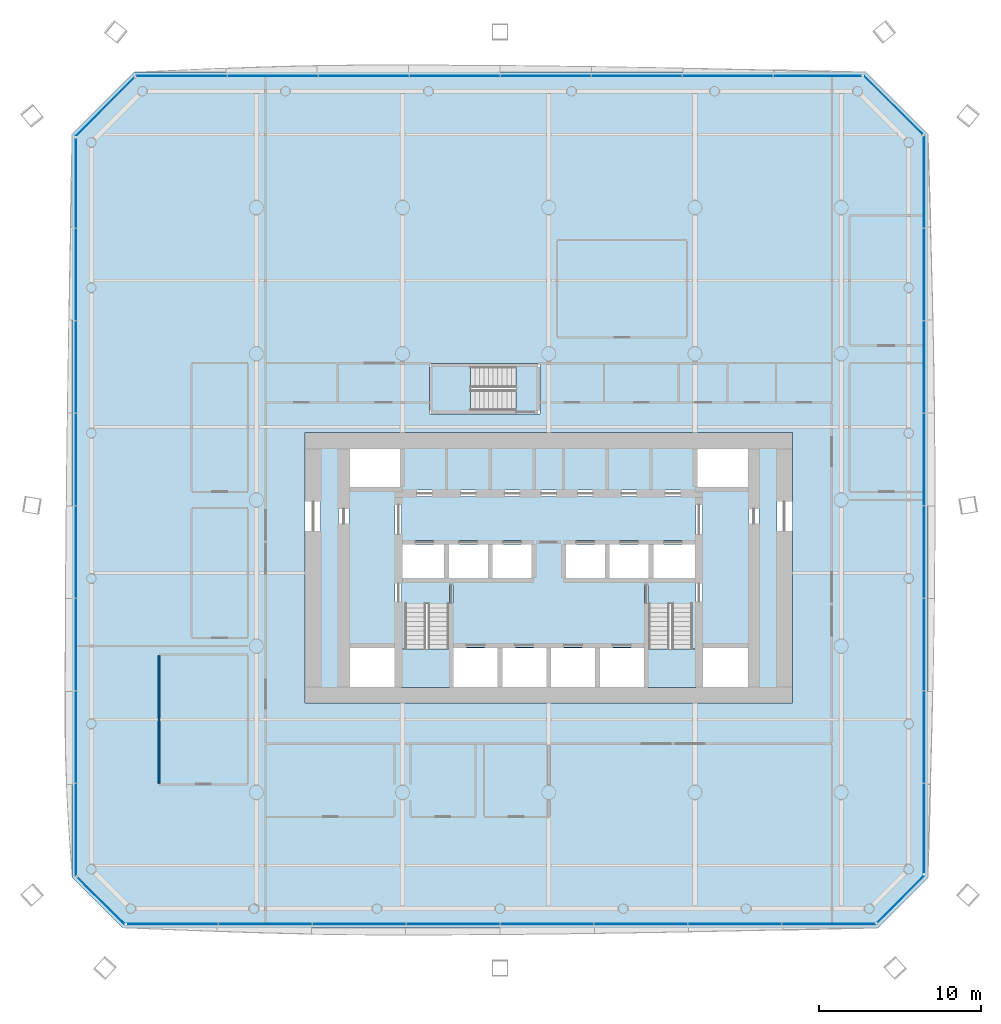
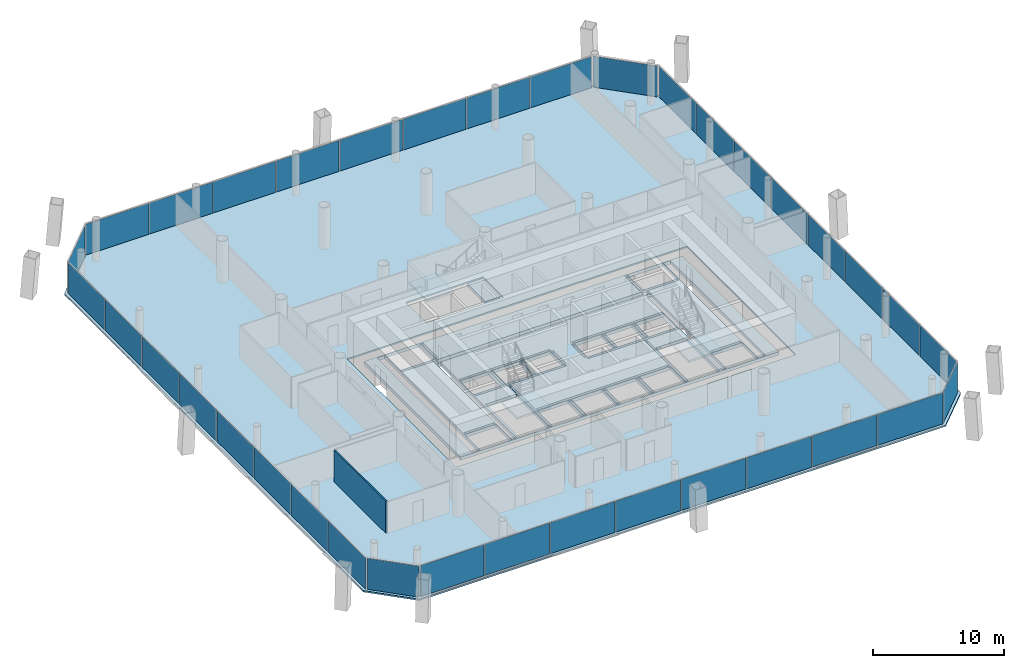
# One storey, part 11 of 20: 36 plates, 6 slabs, 1 wall, 11 elements without a shape of their own.
"""IFC4 building model written with IfcOpenShell, lengths in metres."""

from ifc_helpers import new_model, si_unit, direction, frame, frame_2d, origin, origin_2d, place, context, subcontext, project, spatial, polyline, rectangle, outline, extrude, material, layer, layer_set, type_object, element, aggregate, save


model = new_model("IFC4")

# Units and contexts
model_context = context("Model", 3, precision=1e-05, world=origin(), true_north=direction((0.0, 1.0)))
body_context = subcontext(model_context, "Body", "Model", "MODEL_VIEW")
ifc_project = project(units=[si_unit("LENGTHUNIT", "METRE"), si_unit("AREAUNIT", "SQUARE_METRE"), si_unit("VOLUMEUNIT", "CUBIC_METRE"), si_unit("PLANEANGLEUNIT", "RADIAN"), si_unit("MASSUNIT", "GRAM", prefix="KILO")], contexts=[model_context])

# Site, building, storey
site_placement = place(None, origin())
site = spatial("IfcSite", under=ifc_project, at=site_placement, CompositionType="ELEMENT")
building_placement = place(site_placement, origin())
building = spatial("IfcBuilding", under=site, at=building_placement, Name="Tskaro Facet Tower", CompositionType="ELEMENT")
storey_placement = place(building_placement, frame((0.0, 0.0, 53.699951171875)))
storey = spatial("IfcBuildingStorey", under=building, at=storey_placement, Name="L12", CompositionType="ELEMENT", Elevation=53.699951171875)

# Slab
ifc_material_1 = material(Name="Concrete C30/37", Category="concrete")
ifc_layer_1 = layer(ifc_material_1, 0.139892578125, Name="Concrete C30/37")
ifc_layer_set_1 = layer_set([ifc_layer_1], Name="Concrete C30/37")
slab_type_1 = type_object("IfcSlabType", Name="Composite deck floor slab", PredefinedType="FLOOR", material=ifc_layer_set_1)
slab_1_placement = place(storey_placement, frame((0.0, 0.0, -0.139892578125)))
element("IfcSlab", 1, at=slab_1_placement, inside=storey, type_object=slab_type_1, Name="Floor slab FS3 L12", PredefinedType="FLOOR", context=body_context, shape_type="SweptSolid", body=[
    extrude(outline(polyline([(-26.22607421875, -26.35693359375), (20.22607421875, -26.35693359375), (23.35693359375, -23.22607421875), (23.35693359375, 22.509033203125), (19.509033203125, 26.35693359375), (-25.509033203125, 26.35693359375), (-29.35693359375, 22.509033203125), (-29.35693359375, -23.22607421875), (-26.22607421875, -26.35693359375)]), holes=[polyline([(-15.0, -12.5), (15.0, -12.5), (15.0, 4.14990234375), (-15.0, 4.14990234375), (-15.0, -12.5)]), polyline([(-7.35009765625, 5.300048828125), (-0.550048828125, 5.300048828125), (-0.550048828125, 8.39990234375), (-7.35009765625, 8.39990234375), (-7.35009765625, 5.300048828125)])]), origin(), (0.0, 0.0, 1.0), 0.139892578125),
])

# Curtain wall, plates
ifc_material_2 = material(Name="Bronze anodised aluminium 6063-T6", Category="aluminium")
curtain_wall_type = type_object("IfcCurtainWallType", Name="Bronze office curtain wall (FW1)", PredefinedType="NOTDEFINED", material=ifc_material_2)
curtain_wall_1_placement = place(storey_placement, origin())
curtain_wall_1 = element("IfcCurtainWall", 2, at=curtain_wall_1_placement, inside=storey, type_object=curtain_wall_type, Name="FW1 south facet L12", PredefinedType="NOTDEFINED")
ifc_material_3 = material(Name="Bronze tinted glass", Category="glass")
ifc_layer_2 = layer(ifc_material_3, 0.031982421875, Name="Bronze tinted glass")
ifc_layer_set_2 = layer_set([ifc_layer_2], Name="Bronze tinted glass")
plate_type = type_object("IfcPlateType", Name="FW1 bronze-tinted unit glazing 32", PredefinedType="CURTAIN_PANEL", material=ifc_layer_set_2)
plate_1_placement = place(storey_placement, frame((-23.166748046875, -26.10693359375, 0.0), z_axis=(0.0, 0.0, 1.0), x_axis=(1.0, 0.0, 0.0)))
plate_1 = element("IfcPlate", 3, at=plate_1_placement, type_object=plate_type, Name="FW1 south glazing 1.1", PredefinedType="CURTAIN_PANEL", context=body_context, shape_type="SweptSolid", body=[
    extrude(rectangle(XDim=5.590576171875, YDim=0.031982421875, at=origin_2d()), origin(), (0.0, 0.0, 1.0), 2.889892578125),
])
plate_2_placement = place(storey_placement, frame((-17.451171875, -26.10693359375, 0.0), z_axis=(0.0, 0.0, 1.0), x_axis=(1.0, 0.0, 0.0)))
plate_2 = element("IfcPlate", 4, at=plate_2_placement, type_object=plate_type, Name="FW1 south glazing 2.1", PredefinedType="CURTAIN_PANEL", context=body_context, shape_type="SweptSolid", body=[
    extrude(rectangle(XDim=5.720458984375, YDim=0.031982421875, at=origin_2d()), origin(), (0.0, 0.0, 1.0), 2.889892578125),
])
plate_3_placement = place(storey_placement, frame((-11.670654296875, -26.10693359375, 0.0), z_axis=(0.0, 0.0, 1.0), x_axis=(1.0, 0.0, 0.0)))
plate_3 = element("IfcPlate", 5, at=plate_3_placement, type_object=plate_type, Name="FW1 south glazing 3.1", PredefinedType="CURTAIN_PANEL", context=body_context, shape_type="SweptSolid", body=[
    extrude(rectangle(XDim=5.720458984375, YDim=0.031982421875, at=origin_2d()), origin(), (0.0, 0.0, 1.0), 2.889892578125),
])
plate_4_placement = place(storey_placement, frame((-5.89013671875, -26.10693359375, 0.0), z_axis=(0.0, 0.0, 1.0), x_axis=(1.0, 0.0, 0.0)))
plate_4 = element("IfcPlate", 6, at=plate_4_placement, type_object=plate_type, Name="FW1 south glazing 4.1", PredefinedType="CURTAIN_PANEL", context=body_context, shape_type="SweptSolid", body=[
    extrude(rectangle(XDim=5.720458984375, YDim=0.031982421875, at=origin_2d()), origin(), (0.0, 0.0, 1.0), 2.889892578125),
])
plate_5_placement = place(storey_placement, frame((-0.10986328125, -26.10693359375, 0.0), z_axis=(0.0, 0.0, 1.0), x_axis=(1.0, 0.0, 0.0)))
plate_5 = element("IfcPlate", 7, at=plate_5_placement, type_object=plate_type, Name="FW1 south glazing 5.1", PredefinedType="CURTAIN_PANEL", context=body_context, shape_type="SweptSolid", body=[
    extrude(rectangle(XDim=5.720458984375, YDim=0.031982421875, at=origin_2d()), origin(), (0.0, 0.0, 1.0), 2.889892578125),
])
plate_6_placement = place(storey_placement, frame((5.670654296875, -26.10693359375, 0.0), z_axis=(0.0, 0.0, 1.0), x_axis=(1.0, 0.0, 0.0)))
plate_6 = element("IfcPlate", 8, at=plate_6_placement, type_object=plate_type, Name="FW1 south glazing 6.1", PredefinedType="CURTAIN_PANEL", context=body_context, shape_type="SweptSolid", body=[
    extrude(rectangle(XDim=5.720458984375, YDim=0.031982421875, at=origin_2d()), origin(), (0.0, 0.0, 1.0), 2.889892578125),
])
plate_7_placement = place(storey_placement, frame((11.451171875, -26.10693359375, 0.0), z_axis=(0.0, 0.0, 1.0), x_axis=(1.0, 0.0, 0.0)))
plate_7 = element("IfcPlate", 9, at=plate_7_placement, type_object=plate_type, Name="FW1 south glazing 7.1", PredefinedType="CURTAIN_PANEL", context=body_context, shape_type="SweptSolid", body=[
    extrude(rectangle(XDim=5.720458984375, YDim=0.031982421875, at=origin_2d()), origin(), (0.0, 0.0, 1.0), 2.889892578125),
])
plate_8_placement = place(storey_placement, frame((17.246826171875, -26.10693359375, 0.0), z_axis=(0.0, 0.0, 1.0), x_axis=(1.0, 0.0, 0.0)))
plate_8 = element("IfcPlate", 10, at=plate_8_placement, type_object=plate_type, Name="FW1 south glazing 8.1", PredefinedType="CURTAIN_PANEL", context=body_context, shape_type="SweptSolid", body=[
    extrude(rectangle(XDim=5.75048828125, YDim=0.031982421875, at=origin_2d()), origin(), (0.0, 0.0, 1.0), 2.889892578125),
])
aggregate(curtain_wall_1, [plate_1, plate_2, plate_3, plate_4, plate_5, plate_6, plate_7, plate_8])

# Curtain wall, plate
curtain_wall_2_placement = place(storey_placement, origin())
curtain_wall_2 = element("IfcCurtainWall", 11, at=curtain_wall_2_placement, inside=storey, type_object=curtain_wall_type, Name="FW1 south-east facet L12", PredefinedType="NOTDEFINED")
plate_9_placement = place(storey_placement, frame((21.671142578125, -24.557861328125, 0.0), z_axis=(0.0, 0.0, 1.0), x_axis=(0.707106781187, 0.707106781187, 0.0)))
plate_9 = element("IfcPlate", 12, at=plate_9_placement, type_object=plate_type, Name="FW1 south-east glazing 1.1", PredefinedType="CURTAIN_PANEL", context=body_context, shape_type="SweptSolid", body=[
    extrude(rectangle(XDim=4.0615234375, YDim=0.031982421875, at=origin_2d()), origin(), (0.0, 0.0, 1.0), 2.889892578125),
])
aggregate(curtain_wall_2, [plate_9])

# Curtain wall, plates
curtain_wall_3_placement = place(storey_placement, origin())
curtain_wall_3 = element("IfcCurtainWall", 13, at=curtain_wall_3_placement, inside=storey, type_object=curtain_wall_type, Name="FW1 east facet L12", PredefinedType="NOTDEFINED")
plate_10_placement = place(storey_placement, frame((23.10693359375, -20.211669921875, 0.0), z_axis=(0.0, 0.0, 1.0), x_axis=(0.0, 1.0, 0.0)))
plate_10 = element("IfcPlate", 14, at=plate_10_placement, type_object=plate_type, Name="FW1 east glazing 1.1", PredefinedType="CURTAIN_PANEL", context=body_context, shape_type="SweptSolid", body=[
    extrude(rectangle(XDim=5.5009765625, YDim=0.031982421875, at=origin_2d()), origin(), (0.0, 0.0, 1.0), 2.889892578125),
])
plate_11_placement = place(storey_placement, frame((23.10693359375, -14.585693359375, 0.0), z_axis=(0.0, 0.0, 1.0), x_axis=(0.0, 1.0, 0.0)))
plate_11 = element("IfcPlate", 15, at=plate_11_placement, type_object=plate_type, Name="FW1 east glazing 2.1", PredefinedType="CURTAIN_PANEL", context=body_context, shape_type="SweptSolid", body=[
    extrude(rectangle(XDim=5.630859375, YDim=0.031982421875, at=origin_2d()), origin(), (0.0, 0.0, 1.0), 2.889892578125),
])
plate_12_placement = place(storey_placement, frame((23.10693359375, -8.894775390625, 0.0), z_axis=(0.0, 0.0, 1.0), x_axis=(0.0, 1.0, 0.0)))
plate_12 = element("IfcPlate", 16, at=plate_12_placement, type_object=plate_type, Name="FW1 east glazing 3.1", PredefinedType="CURTAIN_PANEL", context=body_context, shape_type="SweptSolid", body=[
    extrude(rectangle(XDim=5.630859375, YDim=0.031982421875, at=origin_2d()), origin(), (0.0, 0.0, 1.0), 2.889892578125),
])
plate_13_placement = place(storey_placement, frame((23.10693359375, -3.203857421875, 0.0), z_axis=(0.0, 0.0, 1.0), x_axis=(0.0, 1.0, 0.0)))
plate_13 = element("IfcPlate", 17, at=plate_13_placement, type_object=plate_type, Name="FW1 east glazing 4.1", PredefinedType="CURTAIN_PANEL", context=body_context, shape_type="SweptSolid", body=[
    extrude(rectangle(XDim=5.630859375, YDim=0.031982421875, at=origin_2d()), origin(), (0.0, 0.0, 1.0), 2.889892578125),
])
plate_14_placement = place(storey_placement, frame((23.10693359375, 2.48681640625, 0.0), z_axis=(0.0, 0.0, 1.0), x_axis=(0.0, 1.0, 0.0)))
plate_14 = element("IfcPlate", 18, at=plate_14_placement, type_object=plate_type, Name="FW1 east glazing 5.1", PredefinedType="CURTAIN_PANEL", context=body_context, shape_type="SweptSolid", body=[
    extrude(rectangle(XDim=5.630859375, YDim=0.031982421875, at=origin_2d()), origin(), (0.0, 0.0, 1.0), 2.889892578125),
])
plate_15_placement = place(storey_placement, frame((23.10693359375, 8.177734375, 0.0), z_axis=(0.0, 0.0, 1.0), x_axis=(0.0, 1.0, 0.0)))
plate_15 = element("IfcPlate", 19, at=plate_15_placement, type_object=plate_type, Name="FW1 east glazing 6.1", PredefinedType="CURTAIN_PANEL", context=body_context, shape_type="SweptSolid", body=[
    extrude(rectangle(XDim=5.630859375, YDim=0.031982421875, at=origin_2d()), origin(), (0.0, 0.0, 1.0), 2.889892578125),
])
plate_16_placement = place(storey_placement, frame((23.10693359375, 13.86865234375, 0.0), z_axis=(0.0, 0.0, 1.0), x_axis=(0.0, 1.0, 0.0)))
plate_16 = element("IfcPlate", 20, at=plate_16_placement, type_object=plate_type, Name="FW1 east glazing 7.1", PredefinedType="CURTAIN_PANEL", context=body_context, shape_type="SweptSolid", body=[
    extrude(rectangle(XDim=5.630859375, YDim=0.031982421875, at=origin_2d()), origin(), (0.0, 0.0, 1.0), 2.889892578125),
])
plate_17_placement = place(storey_placement, frame((23.10693359375, 19.574462890625, 0.0), z_axis=(0.0, 0.0, 1.0), x_axis=(0.0, 1.0, 0.0)))
plate_17 = element("IfcPlate", 21, at=plate_17_placement, type_object=plate_type, Name="FW1 east glazing 8.1", PredefinedType="CURTAIN_PANEL", context=body_context, shape_type="SweptSolid", body=[
    extrude(rectangle(XDim=5.660888671875, YDim=0.031982421875, at=origin_2d()), origin(), (0.0, 0.0, 1.0), 2.889892578125),
])
aggregate(curtain_wall_3, [plate_10, plate_11, plate_12, plate_13, plate_14, plate_15, plate_16, plate_17])

# Curtain wall, plate
curtain_wall_4_placement = place(storey_placement, origin())
curtain_wall_4 = element("IfcCurtainWall", 22, at=curtain_wall_4_placement, inside=storey, type_object=curtain_wall_type, Name="FW1 north-east facet L12", PredefinedType="NOTDEFINED")
plate_18_placement = place(storey_placement, frame((21.199462890625, 24.3125, 0.0), z_axis=(0.0, 0.0, 1.0), x_axis=(-0.707106781187, 0.707106781187, 0.0)))
plate_18 = element("IfcPlate", 23, at=plate_18_placement, type_object=plate_type, Name="FW1 north-east glazing 1.1", PredefinedType="CURTAIN_PANEL", context=body_context, shape_type="SweptSolid", body=[
    extrude(rectangle(XDim=5.075439453125, YDim=0.031982421875, at=origin_2d()), origin(), (0.0, 0.0, 1.0), 2.889892578125),
])
aggregate(curtain_wall_4, [plate_18])

# Curtain wall, plates
curtain_wall_5_placement = place(storey_placement, origin())
curtain_wall_5 = element("IfcCurtainWall", 24, at=curtain_wall_5_placement, inside=storey, type_object=curtain_wall_type, Name="FW1 north facet L12", PredefinedType="NOTDEFINED")
plate_19_placement = place(storey_placement, frame((16.539306640625, 26.10693359375, 0.0), z_axis=(0.0, 0.0, 1.0), x_axis=(-1.0, 0.0, 0.0)))
plate_19 = element("IfcPlate", 25, at=plate_19_placement, type_object=plate_type, Name="FW1 north glazing 1.1", PredefinedType="CURTAIN_PANEL", context=body_context, shape_type="SweptSolid", body=[
    extrude(rectangle(XDim=5.4111328125, YDim=0.031982421875, at=origin_2d()), origin(), (0.0, 0.0, 1.0), 2.889892578125),
])
plate_20_placement = place(storey_placement, frame((11.003173828125, 26.10693359375, 0.0), z_axis=(0.0, 0.0, 1.0), x_axis=(-1.0, 0.0, 0.0)))
plate_20 = element("IfcPlate", 26, at=plate_20_placement, type_object=plate_type, Name="FW1 north glazing 2.1", PredefinedType="CURTAIN_PANEL", context=body_context, shape_type="SweptSolid", body=[
    extrude(rectangle(XDim=5.541259765625, YDim=0.031982421875, at=origin_2d()), origin(), (0.0, 0.0, 1.0), 2.889892578125),
])
plate_21_placement = place(storey_placement, frame((5.40185546875, 26.10693359375, 0.0), z_axis=(0.0, 0.0, 1.0), x_axis=(-1.0, 0.0, 0.0)))
plate_21 = element("IfcPlate", 27, at=plate_21_placement, type_object=plate_type, Name="FW1 north glazing 3.1", PredefinedType="CURTAIN_PANEL", context=body_context, shape_type="SweptSolid", body=[
    extrude(rectangle(XDim=5.541259765625, YDim=0.031982421875, at=origin_2d()), origin(), (0.0, 0.0, 1.0), 2.889892578125),
])
plate_22_placement = place(storey_placement, frame((-0.199462890625, 26.10693359375, 0.0), z_axis=(0.0, 0.0, 1.0), x_axis=(-1.0, 0.0, 0.0)))
plate_22 = element("IfcPlate", 28, at=plate_22_placement, type_object=plate_type, Name="FW1 north glazing 4.1", PredefinedType="CURTAIN_PANEL", context=body_context, shape_type="SweptSolid", body=[
    extrude(rectangle(XDim=5.541259765625, YDim=0.031982421875, at=origin_2d()), origin(), (0.0, 0.0, 1.0), 2.889892578125),
])
plate_23_placement = place(storey_placement, frame((-5.800537109375, 26.10693359375, 0.0), z_axis=(0.0, 0.0, 1.0), x_axis=(-1.0, 0.0, 0.0)))
plate_23 = element("IfcPlate", 29, at=plate_23_placement, type_object=plate_type, Name="FW1 north glazing 5.1", PredefinedType="CURTAIN_PANEL", context=body_context, shape_type="SweptSolid", body=[
    extrude(rectangle(XDim=5.541259765625, YDim=0.031982421875, at=origin_2d()), origin(), (0.0, 0.0, 1.0), 2.889892578125),
])
plate_24_placement = place(storey_placement, frame((-11.40185546875, 26.10693359375, 0.0), z_axis=(0.0, 0.0, 1.0), x_axis=(-1.0, 0.0, 0.0)))
plate_24 = element("IfcPlate", 30, at=plate_24_placement, type_object=plate_type, Name="FW1 north glazing 6.1", PredefinedType="CURTAIN_PANEL", context=body_context, shape_type="SweptSolid", body=[
    extrude(rectangle(XDim=5.541259765625, YDim=0.031982421875, at=origin_2d()), origin(), (0.0, 0.0, 1.0), 2.889892578125),
])
plate_25_placement = place(storey_placement, frame((-17.003173828125, 26.10693359375, 0.0), z_axis=(0.0, 0.0, 1.0), x_axis=(-1.0, 0.0, 0.0)))
plate_25 = element("IfcPlate", 31, at=plate_25_placement, type_object=plate_type, Name="FW1 north glazing 7.1", PredefinedType="CURTAIN_PANEL", context=body_context, shape_type="SweptSolid", body=[
    extrude(rectangle(XDim=5.541259765625, YDim=0.031982421875, at=origin_2d()), origin(), (0.0, 0.0, 1.0), 2.889892578125),
])
plate_26_placement = place(storey_placement, frame((-22.619384765625, 26.10693359375, 0.0), z_axis=(0.0, 0.0, 1.0), x_axis=(-1.0, 0.0, 0.0)))
plate_26 = element("IfcPlate", 32, at=plate_26_placement, type_object=plate_type, Name="FW1 north glazing 8.1", PredefinedType="CURTAIN_PANEL", context=body_context, shape_type="SweptSolid", body=[
    extrude(rectangle(XDim=5.5712890625, YDim=0.031982421875, at=origin_2d()), origin(), (0.0, 0.0, 1.0), 2.889892578125),
])
aggregate(curtain_wall_5, [plate_19, plate_20, plate_21, plate_22, plate_23, plate_24, plate_25, plate_26])

# Curtain wall, plate
curtain_wall_6_placement = place(storey_placement, origin())
curtain_wall_6 = element("IfcCurtainWall", 33, at=curtain_wall_6_placement, inside=storey, type_object=curtain_wall_type, Name="FW1 north-west facet L12", PredefinedType="NOTDEFINED")
plate_27_placement = place(storey_placement, frame((-27.3125, 24.199462890625, 0.0), z_axis=(0.0, 0.0, 1.0), x_axis=(-0.707106781187, -0.707106781187, 0.0)))
plate_27 = element("IfcPlate", 34, at=plate_27_placement, type_object=plate_type, Name="FW1 north-west glazing 1.1", PredefinedType="CURTAIN_PANEL", context=body_context, shape_type="SweptSolid", body=[
    extrude(rectangle(XDim=5.075439453125, YDim=0.031982421875, at=origin_2d()), origin(), (0.0, 0.0, 1.0), 2.889892578125),
])
aggregate(curtain_wall_6, [plate_27])

# Curtain wall, plates
curtain_wall_7_placement = place(storey_placement, origin())
curtain_wall_7 = element("IfcCurtainWall", 35, at=curtain_wall_7_placement, inside=storey, type_object=curtain_wall_type, Name="FW1 west facet L12", PredefinedType="NOTDEFINED")
plate_28_placement = place(storey_placement, frame((-29.10693359375, 19.49462890625, 0.0), z_axis=(0.0, 0.0, 1.0), x_axis=(0.0, -1.0, 0.0)))
plate_28 = element("IfcPlate", 36, at=plate_28_placement, type_object=plate_type, Name="FW1 west glazing 1.1", PredefinedType="CURTAIN_PANEL", context=body_context, shape_type="SweptSolid", body=[
    extrude(rectangle(XDim=5.5009765625, YDim=0.031982421875, at=origin_2d()), origin(), (0.0, 0.0, 1.0), 2.889892578125),
])
plate_29_placement = place(storey_placement, frame((-29.10693359375, 13.86865234375, 0.0), z_axis=(0.0, 0.0, 1.0), x_axis=(0.0, -1.0, 0.0)))
plate_29 = element("IfcPlate", 37, at=plate_29_placement, type_object=plate_type, Name="FW1 west glazing 2.1", PredefinedType="CURTAIN_PANEL", context=body_context, shape_type="SweptSolid", body=[
    extrude(rectangle(XDim=5.630859375, YDim=0.031982421875, at=origin_2d()), origin(), (0.0, 0.0, 1.0), 2.889892578125),
])
plate_30_placement = place(storey_placement, frame((-29.10693359375, 8.177734375, 0.0), z_axis=(0.0, 0.0, 1.0), x_axis=(0.0, -1.0, 0.0)))
plate_30 = element("IfcPlate", 38, at=plate_30_placement, type_object=plate_type, Name="FW1 west glazing 3.1", PredefinedType="CURTAIN_PANEL", context=body_context, shape_type="SweptSolid", body=[
    extrude(rectangle(XDim=5.630859375, YDim=0.031982421875, at=origin_2d()), origin(), (0.0, 0.0, 1.0), 2.889892578125),
])
plate_31_placement = place(storey_placement, frame((-29.10693359375, 2.48681640625, 0.0), z_axis=(0.0, 0.0, 1.0), x_axis=(0.0, -1.0, 0.0)))
plate_31 = element("IfcPlate", 39, at=plate_31_placement, type_object=plate_type, Name="FW1 west glazing 4.1", PredefinedType="CURTAIN_PANEL", context=body_context, shape_type="SweptSolid", body=[
    extrude(rectangle(XDim=5.630859375, YDim=0.031982421875, at=origin_2d()), origin(), (0.0, 0.0, 1.0), 2.889892578125),
])
plate_32_placement = place(storey_placement, frame((-29.10693359375, -3.203857421875, 0.0), z_axis=(0.0, 0.0, 1.0), x_axis=(0.0, -1.0, 0.0)))
plate_32 = element("IfcPlate", 40, at=plate_32_placement, type_object=plate_type, Name="FW1 west glazing 5.1", PredefinedType="CURTAIN_PANEL", context=body_context, shape_type="SweptSolid", body=[
    extrude(rectangle(XDim=5.630859375, YDim=0.031982421875, at=origin_2d()), origin(), (0.0, 0.0, 1.0), 2.889892578125),
])
plate_33_placement = place(storey_placement, frame((-29.10693359375, -8.894775390625, 0.0), z_axis=(0.0, 0.0, 1.0), x_axis=(0.0, -1.0, 0.0)))
plate_33 = element("IfcPlate", 41, at=plate_33_placement, type_object=plate_type, Name="FW1 west glazing 6.1", PredefinedType="CURTAIN_PANEL", context=body_context, shape_type="SweptSolid", body=[
    extrude(rectangle(XDim=5.630859375, YDim=0.031982421875, at=origin_2d()), origin(), (0.0, 0.0, 1.0), 2.889892578125),
])
plate_34_placement = place(storey_placement, frame((-29.10693359375, -14.585693359375, 0.0), z_axis=(0.0, 0.0, 1.0), x_axis=(0.0, -1.0, 0.0)))
plate_34 = element("IfcPlate", 42, at=plate_34_placement, type_object=plate_type, Name="FW1 west glazing 7.1", PredefinedType="CURTAIN_PANEL", context=body_context, shape_type="SweptSolid", body=[
    extrude(rectangle(XDim=5.630859375, YDim=0.031982421875, at=origin_2d()), origin(), (0.0, 0.0, 1.0), 2.889892578125),
])
plate_35_placement = place(storey_placement, frame((-29.10693359375, -20.29150390625, 0.0), z_axis=(0.0, 0.0, 1.0), x_axis=(0.0, -1.0, 0.0)))
plate_35 = element("IfcPlate", 43, at=plate_35_placement, type_object=plate_type, Name="FW1 west glazing 8.1", PredefinedType="CURTAIN_PANEL", context=body_context, shape_type="SweptSolid", body=[
    extrude(rectangle(XDim=5.660888671875, YDim=0.031982421875, at=origin_2d()), origin(), (0.0, 0.0, 1.0), 2.889892578125),
])
aggregate(curtain_wall_7, [plate_28, plate_29, plate_30, plate_31, plate_32, plate_33, plate_34, plate_35])

# Curtain wall, plate
curtain_wall_8_placement = place(storey_placement, origin())
curtain_wall_8 = element("IfcCurtainWall", 44, at=curtain_wall_8_placement, inside=storey, type_object=curtain_wall_type, Name="FW1 south-west facet L12", PredefinedType="NOTDEFINED")
plate_36_placement = place(storey_placement, frame((-27.557861328125, -24.671142578125, 0.0), z_axis=(0.0, 0.0, 1.0), x_axis=(0.707106781187, -0.707106781187, 0.0)))
plate_36 = element("IfcPlate", 45, at=plate_36_placement, type_object=plate_type, Name="FW1 south-west glazing 1.1", PredefinedType="CURTAIN_PANEL", context=body_context, shape_type="SweptSolid", body=[
    extrude(rectangle(XDim=4.0615234375, YDim=0.031982421875, at=origin_2d()), origin(), (0.0, 0.0, 1.0), 2.889892578125),
])
aggregate(curtain_wall_8, [plate_36])

# Stair, slab
ifc_material_4 = material(Name="Concrete C40/50", Category="concrete")
stair_type = type_object("IfcStairType", Name="ST-TWR", PredefinedType="HALF_TURN_STAIR", material=ifc_material_4)
stair_1_placement = place(storey_placement, origin())
stair_1 = element("IfcStair", 46, at=stair_1_placement, inside=storey, type_object=stair_type, Name="L12 Exit stair 1", PredefinedType="HALF_TURN_STAIR")
ifc_layer_3 = layer(ifc_material_4, 0.199951171875, Name="Concrete C40/50")
ifc_layer_set_3 = layer_set([ifc_layer_3], Name="Concrete C40/50")
slab_type_2 = type_object("IfcSlabType", Name="SL-LANDING", PredefinedType="LANDING", material=ifc_layer_set_3)
slab_2_placement = place(storey_placement, frame((0.0, 0.0, 1.75)))
slab_2 = element("IfcSlab", 47, at=slab_2_placement, type_object=slab_type_2, Name="ST-1 landing 1", PredefinedType="LANDING", context=body_context, shape_type="SweptSolid", body=[
    extrude(outline(polyline([(-9.050048828125, -11.550048828125), (-6.10009765625, -11.550048828125), (-6.10009765625, -9.175048828125), (-9.050048828125, -9.175048828125), (-9.050048828125, -11.550048828125)])), origin(), (0.0, 0.0, 1.0), 0.199951171875),
])
aggregate(stair_1, [slab_2])

stair_2_placement = place(storey_placement, origin())
stair_2 = element("IfcStair", 48, at=stair_2_placement, inside=storey, type_object=stair_type, Name="L12 Exit stair 2", PredefinedType="HALF_TURN_STAIR")
slab_3_placement = place(storey_placement, frame((0.0, 0.0, 1.75)))
slab_3 = element("IfcSlab", 49, at=slab_3_placement, type_object=slab_type_2, Name="ST-2 landing 1", PredefinedType="LANDING", context=body_context, shape_type="SweptSolid", body=[
    extrude(outline(polyline([(6.10009765625, -11.550048828125), (9.050048828125, -11.550048828125), (9.050048828125, -9.175048828125), (6.10009765625, -9.175048828125), (6.10009765625, -11.550048828125)])), origin(), (0.0, 0.0, 1.0), 0.199951171875),
])
aggregate(stair_2, [slab_3])

stair_3_placement = place(storey_placement, origin())
stair_3 = element("IfcStair", 50, at=stair_3_placement, inside=storey, type_object=stair_type, Name="L12 Exit stair 3", PredefinedType="HALF_TURN_STAIR")
slab_4_placement = place(storey_placement, frame((0.0, 0.0, 1.75)))
slab_4 = element("IfcSlab", 51, at=slab_4_placement, type_object=slab_type_2, Name="ST-3 landing 1", PredefinedType="LANDING", context=body_context, shape_type="SweptSolid", body=[
    extrude(outline(polyline([(-7.199951171875, 5.449951171875), (-4.824951171875, 5.449951171875), (-4.824951171875, 8.25), (-7.199951171875, 8.25), (-7.199951171875, 5.449951171875)])), origin(), (0.0, 0.0, 1.0), 0.199951171875),
])
aggregate(stair_3, [slab_4])

# Slabs
ifc_material_5 = material(Name="Concrete C60/75", Category="concrete")
ifc_layer_4 = layer(ifc_material_5, 0.300048828125, Name="Concrete C60/75")
ifc_layer_set_4 = layer_set([ifc_layer_4], Name="Concrete C60/75")
slab_type_3 = type_object("IfcSlabType", Name="SLAB-CORE", PredefinedType="FLOOR", material=ifc_layer_set_4)
slab_5_placement = place(storey_placement, frame((0.0, 0.0, -0.300048828125)))
element("IfcSlab", 52, at=slab_5_placement, inside=storey, type_object=slab_type_3, Name="Core floor slab 1", PredefinedType="FLOOR", context=body_context, shape_type="SweptSolid", body=[
    extrude(outline(polyline([(-14.050048828125, 3.199951171875), (14.050048828125, 3.199951171875), (14.050048828125, 3.10009765625), (14.050048828125, -11.449951171875), (14.050048828125, -11.550048828125), (-14.050048828125, -11.550048828125), (-14.050048828125, -11.449951171875), (-14.050048828125, 3.10009765625), (-14.050048828125, 3.199951171875)]), holes=[polyline([(-9.5, -9.10009765625), (-12.25, -9.10009765625), (-12.25, -11.5), (-9.5, -11.5), (-9.5, -9.10009765625)]), polyline([(-3.14990234375, -9.10009765625), (-5.85009765625, -9.10009765625), (-5.85009765625, -11.5), (-3.14990234375, -11.5), (-3.14990234375, -9.10009765625)]), polyline([(-12.199951171875, -8.85009765625), (-12.199951171875, -9.050048828125), (-9.550048828125, -9.050048828125), (-9.550048828125, -8.85009765625), (-12.199951171875, -8.85009765625)]), polyline([(-6.10009765625, -11.449951171875), (-5.89990234375, -11.449951171875), (-5.89990234375, -5.14990234375), (-6.10009765625, -5.14990234375), (-6.10009765625, -11.449951171875)]), polyline([(-9.449951171875, 0.10009765625), (-9.449951171875, -11.449951171875), (-9.050048828125, -11.449951171875), (-9.050048828125, 0.10009765625), (-9.449951171875, 0.10009765625)]), polyline([(-8.949951171875, -4.85009765625), (-8.949951171875, -5.050048828125), (-0.949951171875, -5.050048828125), (-0.949951171875, -4.85009765625), (-8.949951171875, -4.85009765625)]), polyline([(-12.949951171875, -11.449951171875), (-12.300048828125, -11.449951171875), (-12.300048828125, 3.10009765625), (-12.949951171875, 3.10009765625), (-12.949951171875, -11.449951171875)]), polyline([(-6.449951171875, -4.800048828125), (-6.449951171875, -2.75), (-9.0, -2.75), (-9.0, -4.800048828125), (-6.449951171875, -4.800048828125)]), polyline([(-3.75, -4.800048828125), (-3.75, -2.75), (-6.14990234375, -2.75), (-6.14990234375, -4.800048828125), (-3.75, -4.800048828125)]), polyline([(-6.39990234375, -2.800048828125), (-6.39990234375, -4.75), (-6.199951171875, -4.75), (-6.199951171875, -2.800048828125), (-6.39990234375, -2.800048828125)]), polyline([(-8.949951171875, -2.5), (-8.949951171875, -2.699951171875), (-0.949951171875, -2.699951171875), (-0.949951171875, -2.5), (-8.949951171875, -2.5)]), polyline([(9.449951171875, 0.550048828125), (12.199951171875, 0.550048828125), (12.199951171875, 0.75), (9.050048828125, 0.75), (9.050048828125, 0.60009765625), (-9.050048828125, 0.60009765625), (-9.050048828125, 0.75), (-12.199951171875, 0.75), (-12.199951171875, 0.550048828125), (-9.449951171875, 0.550048828125), (-9.449951171875, 0.199951171875), (9.449951171875, 0.199951171875), (9.449951171875, 0.550048828125)]), polyline([(-9.10009765625, 3.10009765625), (-9.10009765625, 0.85009765625), (-8.89990234375, 0.85009765625), (-8.89990234375, 3.10009765625), (-9.10009765625, 3.10009765625)]), polyline([(-9.14990234375, 0.800048828125), (-9.14990234375, 3.14990234375), (-12.25, 3.14990234375), (-12.25, 0.800048828125), (-9.14990234375, 0.800048828125)]), polyline([(2.89990234375, -11.449951171875), (3.10009765625, -11.449951171875), (3.10009765625, -9.14990234375), (2.89990234375, -9.14990234375), (2.89990234375, -11.449951171875)]), polyline([(-3.10009765625, -9.14990234375), (-3.10009765625, -11.449951171875), (-2.89990234375, -11.449951171875), (-2.89990234375, -9.14990234375), (-3.10009765625, -9.14990234375)]), polyline([(2.85009765625, -9.10009765625), (0.14990234375, -9.10009765625), (0.14990234375, -11.5), (2.85009765625, -11.5), (2.85009765625, -9.10009765625)]), polyline([(-0.14990234375, -9.10009765625), (-2.85009765625, -9.10009765625), (-2.85009765625, -11.5), (-0.14990234375, -11.5), (-0.14990234375, -9.10009765625)]), polyline([(-0.10009765625, -9.14990234375), (-0.10009765625, -11.449951171875), (0.10009765625, -11.449951171875), (0.10009765625, -9.14990234375), (-0.10009765625, -9.14990234375)]), polyline([(-5.800048828125, -8.85009765625), (-5.800048828125, -9.050048828125), (5.800048828125, -9.050048828125), (5.800048828125, -8.85009765625), (-5.800048828125, -8.85009765625)]), polyline([(-1.0, -2.800048828125), (-1.0, -4.75), (-0.800048828125, -4.75), (-0.800048828125, -2.800048828125), (-1.0, -2.800048828125)]), polyline([(0.800048828125, -4.75), (1.0, -4.75), (1.0, -2.800048828125), (0.800048828125, -2.800048828125), (0.800048828125, -4.75)]), polyline([(-3.449951171875, -4.800048828125), (-1.050048828125, -4.800048828125), (-1.050048828125, -2.75), (-3.449951171875, -2.75), (-3.449951171875, -4.800048828125)]), polyline([(1.050048828125, -2.75), (1.050048828125, -4.800048828125), (3.449951171875, -4.800048828125), (3.449951171875, -2.75), (1.050048828125, -2.75)]), polyline([(-3.699951171875, -4.75), (-3.5, -4.75), (-3.5, -2.800048828125), (-3.699951171875, -2.800048828125), (-3.699951171875, -4.75)]), polyline([(3.14990234375, -9.10009765625), (3.14990234375, -11.5), (5.85009765625, -11.5), (5.85009765625, -9.10009765625), (3.14990234375, -9.10009765625)]), polyline([(12.25, -11.5), (12.25, -9.10009765625), (9.5, -9.10009765625), (9.5, -11.5), (12.25, -11.5)]), polyline([(9.550048828125, -8.85009765625), (9.550048828125, -9.050048828125), (12.199951171875, -9.050048828125), (12.199951171875, -8.85009765625), (9.550048828125, -8.85009765625)]), polyline([(5.89990234375, -11.449951171875), (6.10009765625, -11.449951171875), (6.10009765625, -5.14990234375), (5.89990234375, -5.14990234375), (5.89990234375, -11.449951171875)]), polyline([(9.050048828125, 0.10009765625), (9.050048828125, -11.449951171875), (9.449951171875, -11.449951171875), (9.449951171875, 0.10009765625), (9.050048828125, 0.10009765625)]), polyline([(0.949951171875, -4.85009765625), (0.949951171875, -5.050048828125), (8.949951171875, -5.050048828125), (8.949951171875, -4.85009765625), (0.949951171875, -4.85009765625)]), polyline([(12.300048828125, -11.449951171875), (12.949951171875, -11.449951171875), (12.949951171875, 3.10009765625), (12.300048828125, 3.10009765625), (12.300048828125, -11.449951171875)]), polyline([(3.5, -2.800048828125), (3.5, -4.75), (3.699951171875, -4.75), (3.699951171875, -2.800048828125), (3.5, -2.800048828125)]), polyline([(6.14990234375, -2.75), (3.75, -2.75), (3.75, -4.800048828125), (6.14990234375, -4.800048828125), (6.14990234375, -2.75)]), polyline([(6.199951171875, -2.800048828125), (6.199951171875, -4.75), (6.39990234375, -4.75), (6.39990234375, -2.800048828125), (6.199951171875, -2.800048828125)]), polyline([(6.449951171875, -2.75), (6.449951171875, -4.800048828125), (9.0, -4.800048828125), (9.0, -2.75), (6.449951171875, -2.75)]), polyline([(0.949951171875, -2.5), (0.949951171875, -2.699951171875), (8.949951171875, -2.699951171875), (8.949951171875, -2.5), (0.949951171875, -2.5)]), polyline([(8.89990234375, 3.10009765625), (8.89990234375, 0.85009765625), (9.10009765625, 0.85009765625), (9.10009765625, 3.10009765625), (8.89990234375, 3.10009765625)]), polyline([(9.14990234375, 0.800048828125), (12.25, 0.800048828125), (12.25, 3.14990234375), (9.14990234375, 3.14990234375), (9.14990234375, 0.800048828125)]), polyline([(-8.85009765625, -11.5), (-6.14990234375, -11.5), (-6.14990234375, -6.39501953125), (-8.85009765625, -6.39501953125), (-8.85009765625, -11.5)]), polyline([(6.14990234375, -6.39501953125), (6.14990234375, -11.5), (8.85009765625, -11.5), (8.85009765625, -6.39501953125), (6.14990234375, -6.39501953125)])]), origin(), (0.0, 0.0, 1.0), 0.300048828125),
])
slab_6_placement = place(storey_placement, frame((0.0, 0.0, -0.300048828125)))
element("IfcSlab", 53, at=slab_6_placement, inside=storey, type_object=slab_type_3, Name="Stair 3 floor landing 1", PredefinedType="FLOOR", context=body_context, shape_type="SweptSolid", body=[
    extrude(outline(polyline([(-2.02490234375, 5.449951171875), (-0.699951171875, 5.449951171875), (-0.699951171875, 8.25), (-2.02490234375, 8.25), (-2.02490234375, 5.449951171875)])), origin(), (0.0, 0.0, 1.0), 0.300048828125),
])

# Wall
ifc_material_6 = material(Name="Gypsum board on steel studs", Category="steel")
ifc_layer_5 = layer(ifc_material_6, 0.125, Name="Gypsum board on steel studs")
ifc_layer_set_5 = layer_set([ifc_layer_5], Name="Gypsum board on steel studs")
wall_type = type_object("IfcWallType", Name="PART", PredefinedType="PARTITIONING", material=ifc_layer_set_5)
wall_placement = place(storey_placement, frame((-24.0, -17.4375, 0.0), z_axis=(0.0, 0.0, 1.0), x_axis=(0.0, 1.0, 0.0)))
element("IfcWall", 54, at=wall_placement, inside=storey, type_object=wall_type, Name="Partition W037", PredefinedType="PARTITIONING", context=body_context, shape_type="SweptSolid", body=[
    extrude(rectangle(XDim=7.875, YDim=0.125, at=frame_2d((3.9375, 0.0))), origin(), (0.0, 0.0, 1.0), 2.9599609375),
])

save(model, "model.ifc")
